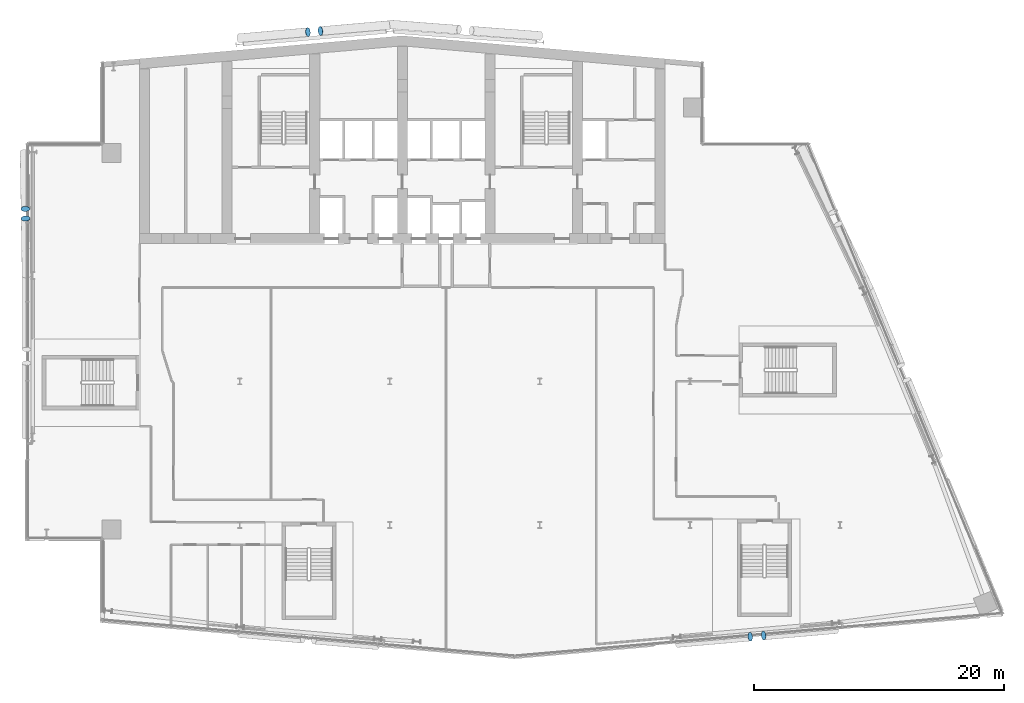
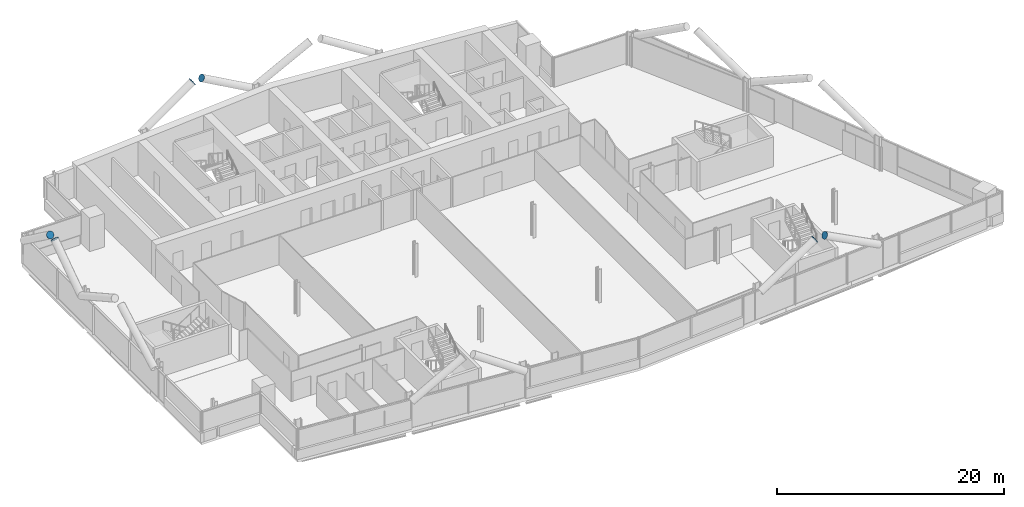
# One storey, part 22 of 26: 6 discrete accessories.
"""IFC4 building model written with IfcOpenShell, lengths in metres."""

from ifc_helpers import new_model, si_unit, direction, frame, origin, origin_2d, place, context, subcontext, project, spatial, circle, extrude, material, material_profile, profile_set, type_object, element, save


model = new_model("IFC4")

# Units and contexts
model_context = context("Model", 3, precision=1e-05, world=origin(), true_north=direction((0.0, 1.0)))
body_context = subcontext(model_context, "Body", "Model", "MODEL_VIEW")
ifc_project = project(units=[si_unit("LENGTHUNIT", "METRE"), si_unit("AREAUNIT", "SQUARE_METRE"), si_unit("VOLUMEUNIT", "CUBIC_METRE"), si_unit("PLANEANGLEUNIT", "RADIAN"), si_unit("MASSUNIT", "GRAM", prefix="KILO")], contexts=[model_context])

# Site, building, storey
site_placement = place(None, origin())
site = spatial("IfcSite", under=ifc_project, at=site_placement, CompositionType="ELEMENT")
building_placement = place(site_placement, origin())
building = spatial("IfcBuilding", under=site, at=building_placement, Name="Wharfspan Tower", CompositionType="ELEMENT")
storey_placement = place(building_placement, frame((0.0, 0.0, 184.300049)))
storey = spatial("IfcBuildingStorey", under=building, at=storey_placement, Name="L45", CompositionType="ELEMENT", Elevation=184.300049)

# Discrete accessories
ifc_material = material(Name="Steel S460NH", Category="steel")
ifc_material_profile = material_profile(ifc_material, circle(Radius=0.355469, at=origin_2d()))
ifc_profile_set = profile_set([ifc_material_profile], Name="Steel S460NH")
discrete_accessory_type = type_object("IfcDiscreteAccessoryType", Name="End plate CHS 711x36", PredefinedType="BRACKET", material=ifc_profile_set)
for number, where, z_axis, x_axis, name in (
    (1, (64.812744, 2.578613, 6.192383), (0.871847, 0.072654, 0.484359), (-0.083044, 0.996547, -3e-06), "End plate CHS 711x36"),
    (2, (65.897949, 2.673584, 6.192383), (-0.871847, -0.072654, 0.484359), (0.083044, -0.996547, -3e-06), "End plate CHS 711x36"),
):
    element("IfcDiscreteAccessory", number, at=place(storey_placement, frame(where, z_axis=z_axis, x_axis=x_axis)), inside=storey, type_object=discrete_accessory_type, Name=name, PredefinedType="BRACKET", context=body_context, shape_type="SweptSolid", body=[
        extrude(circle(Radius=0.355469, at=origin_2d()), origin(), (0.0, 0.0, 1.0), 0.01001),
    ])
discrete_accessory_placement = place(storey_placement, frame((6.860352, 36.790771, 6.214844), z_axis=(0.0, -0.816968, 0.576683), x_axis=(1.0, 0.0, 0.0)))
element("IfcDiscreteAccessory", 3, at=discrete_accessory_placement, inside=storey, type_object=discrete_accessory_type, Name="End plate CHS 711x36", PredefinedType="BRACKET", context=body_context, shape_type="SweptSolid", body=[
    extrude(circle(Radius=0.355469, at=origin_2d()), origin(), (0.0, 0.0, 1.0), 0.010254),
])
for number, where, z_axis, x_axis, name in (
    (4, (6.872803, 36.009033, 6.214844), (-0.0245, 0.808493, 0.587995), (-0.999537, -0.03029, 1e-06), "End plate CHS 711x36"),
    (5, (29.450928, 50.918701, 6.196777), (0.855186, 0.073302, 0.513112), (-0.085402, 0.996345, 1e-06), "End plate CHS 711x36"),
    (6, (30.461426, 51.00708, 6.196777), (-0.855186, -0.073302, 0.513112), (0.085402, -0.996345, 1e-06), "End plate CHS 711x36"),
):
    element("IfcDiscreteAccessory", number, at=place(storey_placement, frame(where, z_axis=z_axis, x_axis=x_axis)), inside=storey, type_object=discrete_accessory_type, Name=name, PredefinedType="BRACKET", context=body_context, shape_type="SweptSolid", body=[
        extrude(circle(Radius=0.355469, at=origin_2d()), origin(), (0.0, 0.0, 1.0), 0.01001),
    ])

save(model, "model.ifc")
